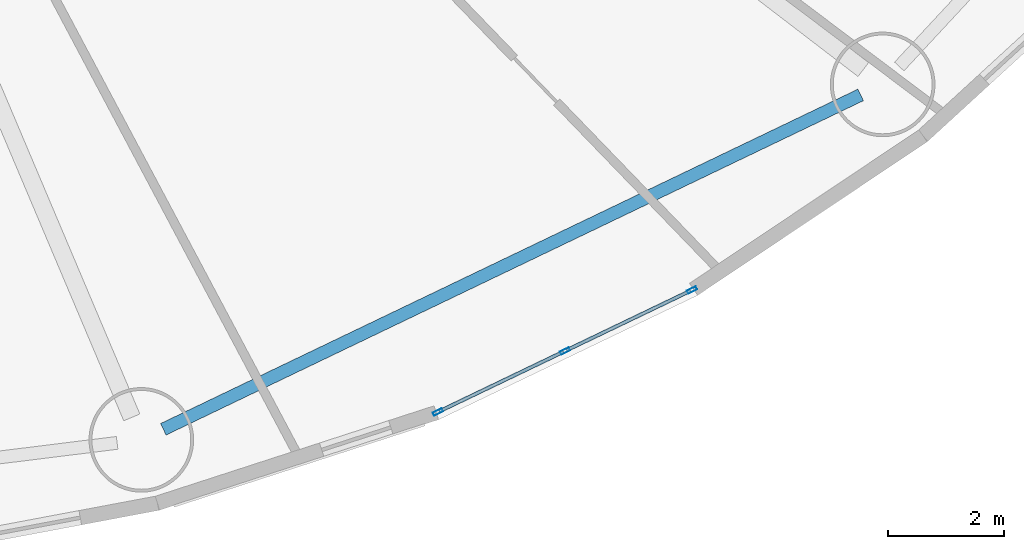
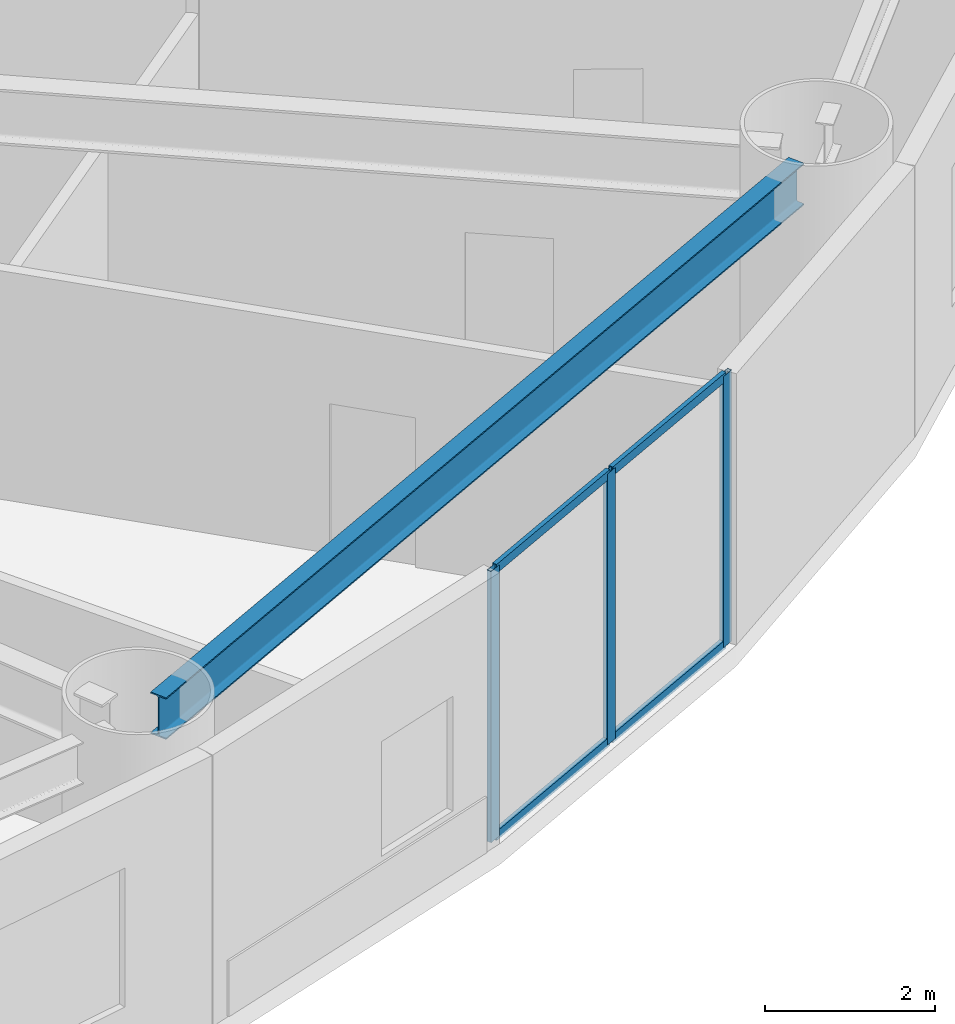
# One storey, part 6 of 27: 7 members, 1 beam, 1 element without a shape of its own.
"""IFC4 building model written with IfcOpenShell, lengths in metres."""

from ifc_helpers import new_model, si_unit, direction, frame, origin, origin_2d, place, context, subcontext, project, spatial, hollow_rectangle, i_section, extrude, source, transform, mapped, material, layer, layer_set, material_profile, profile_set, type_object, element, aggregate, save


model = new_model("IFC4")

# Units and contexts
model_context = context("Model", 3, precision=1e-05, world=origin(), true_north=direction((0.0, 1.0)))
body_context = subcontext(model_context, "Body", "Model", "MODEL_VIEW")
ifc_project = project(units=[si_unit("LENGTHUNIT", "METRE"), si_unit("AREAUNIT", "SQUARE_METRE"), si_unit("VOLUMEUNIT", "CUBIC_METRE"), si_unit("PLANEANGLEUNIT", "RADIAN"), si_unit("MASSUNIT", "GRAM", prefix="KILO")], contexts=[model_context])

# Site, building, storey
site_placement = place(None, origin())
site = spatial("IfcSite", under=ifc_project, at=site_placement, CompositionType="ELEMENT")
building_placement = place(site_placement, origin())
building = spatial("IfcBuilding", under=site, at=building_placement, Name="Linh Dai School and Residence Tower", CompositionType="ELEMENT")
storey_placement = place(building_placement, frame((0.0, 0.0, 18.60009765625)))
storey = spatial("IfcBuildingStorey", under=building, at=storey_placement, Name="L04", CompositionType="ELEMENT", Elevation=18.60009765625)

# Beam
ifc_material_1 = material(Name="Structural Steel S355JR", Category="steel")
ifc_material_profile_1 = material_profile(ifc_material_1, i_section(OverallWidth=0.219970703125, OverallDepth=0.60009765625, WebThickness=0.011962890625, FlangeThickness=0.01904296875, FilletRadius=0.02392578125, at=origin_2d()), Name="IPE 600")
ifc_profile_set_1 = profile_set([ifc_material_profile_1], Name="Structural Steel S355JR")
beam_type = type_object("IfcBeamType", Name="BM-RB60", PredefinedType="BEAM", material=ifc_profile_set_1)
beam_placement = place(storey_placement, frame((46.329833984375, 3.66552734375, 3.599853515625), z_axis=(0.901703667424, 0.432354595388, 0.0), x_axis=(-0.432354595388, 0.901703667424, 0.0)))
element("IfcBeam", 1, at=beam_placement, inside=storey, type_object=beam_type, Name="L04 Perimeter Elliptical Ring Beam 14", PredefinedType="BEAM", context=body_context, shape_type="SweptSolid", body=[
    extrude(i_section(OverallWidth=0.219970703125, OverallDepth=0.60009765625, WebThickness=0.011962890625, FlangeThickness=0.01904296875, FilletRadius=0.02392578125, at=origin_2d()), origin(), (0.0, 0.0, 1.0), 13.304443359375),
])

# Curtain wall, members
ifc_material_2 = material(Name="Aluminium Anodised Curtain Wall", Category="aluminium")
ifc_layer = layer(ifc_material_2, 0.169921875)
ifc_layer_set = layer_set([ifc_layer], Name="Aluminium Anodised Curtain Wall")
curtain_wall_type = type_object("IfcCurtainWallType", Name="CW-SYS-2", PredefinedType="USERDEFINED", material=ifc_layer_set)
curtain_wall_placement = place(storey_placement, origin())
curtain_wall = element("IfcCurtainWall", 2, at=curtain_wall_placement, inside=storey, type_object=curtain_wall_type, Name="L04 CW2 Curtain Wall 34", ObjectType="UNITISED CURTAIN WALL", PredefinedType="USERDEFINED")
ifc_material_3 = material(Name="Aluminium Alloy 6063-T6", Category="aluminium")
ifc_material_profile_2 = material_profile(ifc_material_3, hollow_rectangle(XDim=0.06005859375, YDim=0.169921875, WallThickness=0.00390625, at=origin_2d()), Name="RHS 170x60x4")
ifc_profile_set_2 = profile_set([ifc_material_profile_2], Name="Aluminium Alloy 6063-T6")
member_type_1 = type_object("IfcMemberType", Name="CW-SYS-2-MUL", PredefinedType="MULLION", material=ifc_profile_set_2)
shared_shape_1 = source(origin(), body_context, "Body", "SweptSolid", [
    extrude(hollow_rectangle(XDim=0.06005859375, YDim=0.169921875, WallThickness=0.00390625, at=origin_2d()), origin(), (0.0, 0.0, 1.0), 3.89990234375),
])
member_1_placement = place(storey_placement, frame((55.425537109375, 6.061279296875, 0.0), z_axis=(0.0, 0.0, 1.0), x_axis=(0.432657370259, -0.901558428479, 0.0)))
member_1 = element("IfcMember", 3, at=member_1_placement, type_object=member_type_1, Name="CW2 mullion 1", PredefinedType="MULLION", context=body_context, shape_type="MappedRepresentation", body=[
    mapped(shared_shape_1, transform((0.0, 0.0, 0.0), x_axis=(1.0, 0.0, 0.0), y_axis=(0.0, 1.0, 0.0), z_axis=(0.0, 0.0, 1.0), scale=1.0)),
])
member_2_placement = place(storey_placement, frame((53.239501953125, 5.011962890625, 0.0), z_axis=(0.0, 0.0, 1.0), x_axis=(0.432657370259, -0.901558428479, 0.0)))
member_2 = element("IfcMember", 4, at=member_2_placement, type_object=member_type_1, Name="CW2 mullion 2", PredefinedType="MULLION", context=body_context, shape_type="MappedRepresentation", body=[
    mapped(shared_shape_1, transform((0.0, 0.0, 0.0), x_axis=(1.0, 0.0, 0.0), y_axis=(0.0, 1.0, 0.0), z_axis=(0.0, 0.0, 1.0), scale=1.0)),
])
member_3_placement = place(storey_placement, frame((51.05322265625, 3.962890625, 0.0), z_axis=(0.0, 0.0, 1.0), x_axis=(0.432657370259, -0.901558428479, 0.0)))
member_3 = element("IfcMember", 5, at=member_3_placement, type_object=member_type_1, Name="CW2 mullion 3", PredefinedType="MULLION", context=body_context, shape_type="MappedRepresentation", body=[
    mapped(shared_shape_1, transform((0.0, 0.0, 0.0), x_axis=(1.0, 0.0, 0.0), y_axis=(0.0, 1.0, 0.0), z_axis=(0.0, 0.0, 1.0), scale=1.0)),
])
ifc_material_profile_3 = material_profile(ifc_material_3, hollow_rectangle(XDim=0.06005859375, YDim=0.1298828125, WallThickness=0.00390625, at=origin_2d()), Name="RHS 130x60x4")
ifc_profile_set_3 = profile_set([ifc_material_profile_3], Name="Aluminium Alloy 6063-T6")
member_type_2 = type_object("IfcMemberType", Name="CW-SYS-2-TRN", PredefinedType="USERDEFINED", material=ifc_profile_set_3)
shared_shape_2 = source(origin(), body_context, "Body", "SweptSolid", [
    extrude(hollow_rectangle(XDim=0.06005859375, YDim=0.1298828125, WallThickness=0.00390625, at=origin_2d()), origin(), (0.0, 0.0, 1.0), 2.364990234375),
])
member_4_placement = place(storey_placement, frame((55.3984375, 6.04833984375, 0.02978515625), z_axis=(-0.90155688486, -0.432660586791, 0.0), x_axis=(0.432660586791, -0.90155688486, 0.0)))
member_4 = element("IfcMember", 6, at=member_4_placement, type_object=member_type_2, Name="CW2 transom 1.1", ObjectType="TRANSOM", PredefinedType="USERDEFINED", context=body_context, shape_type="MappedRepresentation", body=[
    mapped(shared_shape_2, transform((0.0, 0.0, 0.0), x_axis=(1.0, 0.0, 0.0), y_axis=(0.0, 1.0, 0.0), z_axis=(0.0, 0.0, 1.0), scale=1.0)),
])
member_5_placement = place(storey_placement, frame((55.3984375, 6.04833984375, 3.869873046875), z_axis=(-0.90155688486, -0.432660586791, 0.0), x_axis=(0.432660586791, -0.90155688486, 0.0)))
member_5 = element("IfcMember", 7, at=member_5_placement, type_object=member_type_2, Name="CW2 transom 1.2", ObjectType="TRANSOM", PredefinedType="USERDEFINED", context=body_context, shape_type="MappedRepresentation", body=[
    mapped(shared_shape_2, transform((0.0, 0.0, 0.0), x_axis=(1.0, 0.0, 0.0), y_axis=(0.0, 1.0, 0.0), z_axis=(0.0, 0.0, 1.0), scale=1.0)),
])
member_6_placement = place(storey_placement, frame((53.21240234375, 4.9990234375, 0.02978515625), z_axis=(-0.90155688486, -0.432660586791, 0.0), x_axis=(0.432660586791, -0.90155688486, 0.0)))
member_6 = element("IfcMember", 8, at=member_6_placement, type_object=member_type_2, Name="CW2 transom 2.1", ObjectType="TRANSOM", PredefinedType="USERDEFINED", context=body_context, shape_type="MappedRepresentation", body=[
    mapped(shared_shape_2, transform((0.0, 0.0, 0.0), x_axis=(1.0, 0.0, 0.0), y_axis=(0.0, 1.0, 0.0), z_axis=(0.0, 0.0, 1.0), scale=1.0)),
])
member_7_placement = place(storey_placement, frame((53.21240234375, 4.9990234375, 3.869873046875), z_axis=(-0.90155688486, -0.432660586791, 0.0), x_axis=(0.432660586791, -0.90155688486, 0.0)))
member_7 = element("IfcMember", 9, at=member_7_placement, type_object=member_type_2, Name="CW2 transom 2.2", ObjectType="TRANSOM", PredefinedType="USERDEFINED", context=body_context, shape_type="MappedRepresentation", body=[
    mapped(shared_shape_2, transform((0.0, 0.0, 0.0), x_axis=(1.0, 0.0, 0.0), y_axis=(0.0, 1.0, 0.0), z_axis=(0.0, 0.0, 1.0), scale=1.0)),
])
aggregate(curtain_wall, [member_1, member_2, member_3, member_4, member_5, member_6, member_7])

save(model, "model.ifc")
